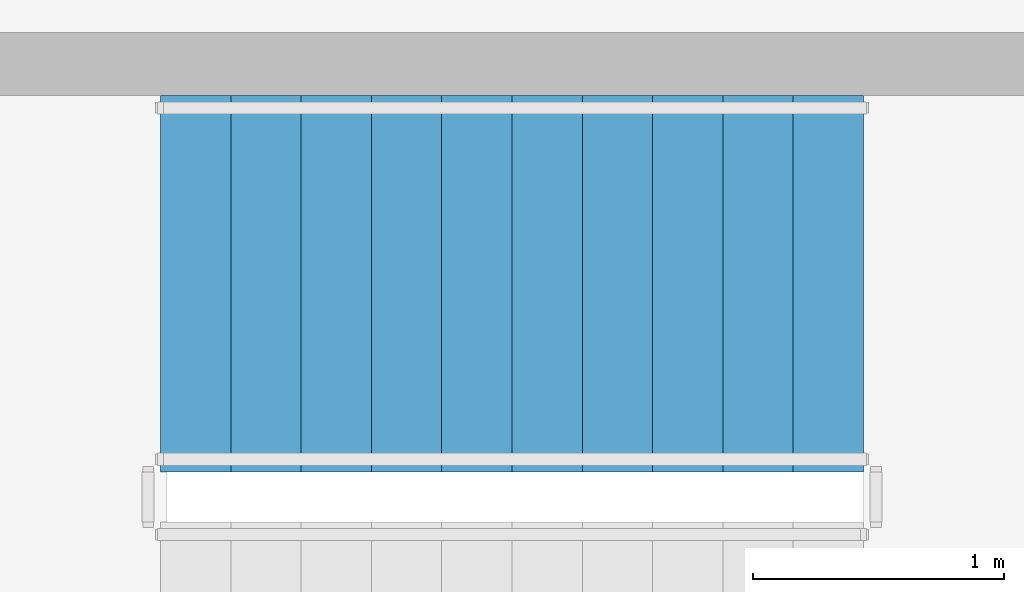
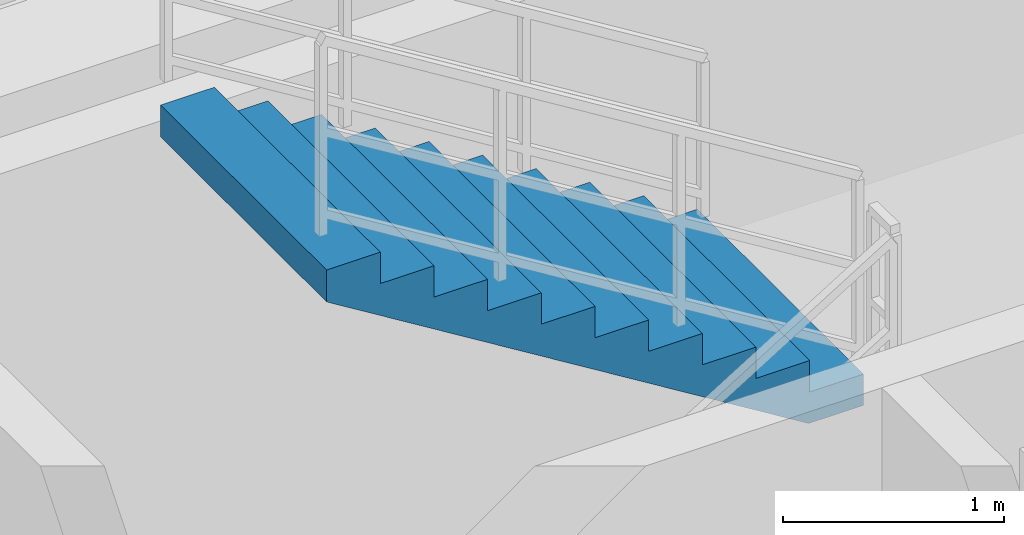
# One storey, part 6 of 10: 1 stair flight, 1 element without a shape of its own.
"""IFC4 building model written with IfcOpenShell, lengths in metres."""

from ifc_helpers import new_model, si_unit, direction, frame, origin, place, context, subcontext, project, spatial, polyline, outline, extrude, material, type_object, element, aggregate, save


model = new_model("IFC4")

# Units and contexts
model_context = context("Model", 3, precision=1e-05, world=origin(), true_north=direction((0.0, 1.0)))
body_context = subcontext(model_context, "Body", "Model", "MODEL_VIEW")
ifc_project = project(units=[si_unit("LENGTHUNIT", "METRE"), si_unit("AREAUNIT", "SQUARE_METRE"), si_unit("VOLUMEUNIT", "CUBIC_METRE"), si_unit("PLANEANGLEUNIT", "RADIAN"), si_unit("MASSUNIT", "GRAM", prefix="KILO")], contexts=[model_context])

# Site, building, storey
site_placement = place(None, origin())
site = spatial("IfcSite", under=ifc_project, at=site_placement, CompositionType="ELEMENT")
building_placement = place(site_placement, origin())
building = spatial("IfcBuilding", under=site, at=building_placement, Name="Zulverin Broadcast Headquarters", CompositionType="ELEMENT")
storey_placement = place(building_placement, frame((0.0, 0.0, 282.0)))
storey = spatial("IfcBuildingStorey", under=building, at=storey_placement, Name="L72", CompositionType="ELEMENT", Elevation=282.0)

# Stair, stair flight
ifc_material = material(Name="Concrete C40/50", Category="concrete")
stair_type = type_object("IfcStairType", Name="ST-CORE-1500", PredefinedType="HALF_TURN_STAIR", material=ifc_material)
stair_placement = place(storey_placement, origin())
stair = element("IfcStair", 1, at=stair_placement, inside=storey, type_object=stair_type, Name="L72 Core Exit Stair ST-1", PredefinedType="HALF_TURN_STAIR")
stair_flight_type = type_object("IfcStairFlightType", Name="SF-CORE-1500", PredefinedType="STRAIGHT", material=ifc_material)
stair_flight_placement = place(storey_placement, frame((42.929931640625, 31.5, 1.89990234375), z_axis=(0.0, 0.0, 1.0), x_axis=(-1.0, 0.0, 0.0)))
stair_flight = element("IfcStairFlight", 2, at=stair_flight_placement, type_object=stair_flight_type, Name="ST-1 flight 2", NumberOfRisers=11, NumberOfTreads=10, PredefinedType="STRAIGHT", RiserHeight=0.172727273, TreadLength=0.28, context=body_context, shape_type="SweptSolid", body=[
    extrude(outline(polyline([(0.0, 0.0), (0.0, 0.172607421875), (0.280029296875, 0.172607421875), (0.280029296875, 0.345458984375), (0.56005859375, 0.345458984375), (0.56005859375, 0.51806640625), (0.840087890625, 0.51806640625), (0.840087890625, 0.69091796875), (1.1201171875, 0.69091796875), (1.1201171875, 0.863525390625), (1.39990234375, 0.863525390625), (1.39990234375, 1.036376953125), (1.679931640625, 1.036376953125), (1.679931640625, 1.208984375), (1.9599609375, 1.208984375), (1.9599609375, 1.3818359375), (2.239990234375, 1.3818359375), (2.239990234375, 1.554443359375), (2.52001953125, 1.554443359375), (2.52001953125, 1.727294921875), (2.800048828125, 1.727294921875), (2.800048828125, 1.89990234375), (2.800048828125, 1.551025390625), (0.285400390625, 0.0), (0.0, 0.0)])), frame((0.0, 0.75, 0.0), z_axis=(0.0, -1.0, 0.0), x_axis=(1.0, 0.0, 0.0)), (0.0, 0.0, 1.0), 1.5),
])
aggregate(stair, [stair_flight])

save(model, "model.ifc")
